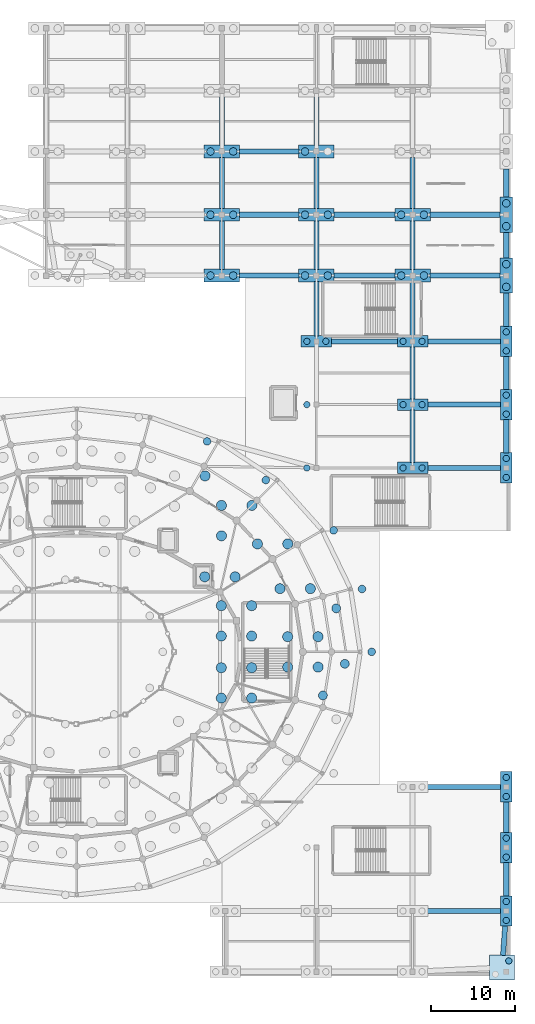
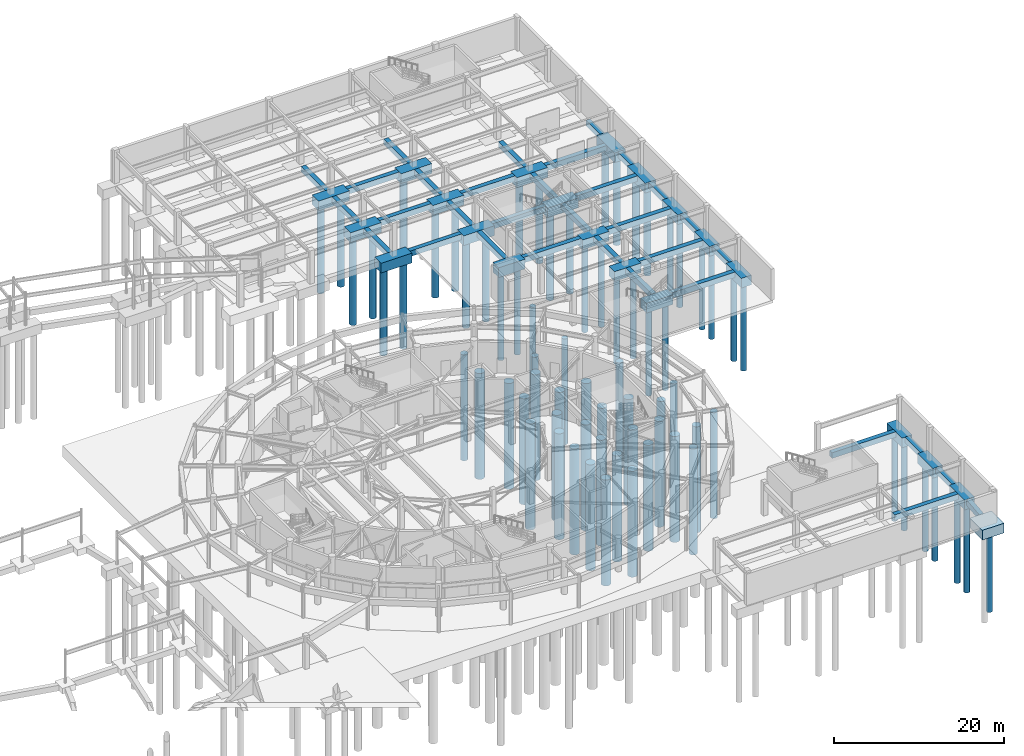
# One storey, part 7 of 68: 72 piles, 54 footings.
"""IFC4 building model written with IfcOpenShell, lengths in metres."""

from ifc_helpers import new_model, si_unit, direction, frame, origin, origin_2d, place, context, subcontext, project, spatial, rectangle, circle, extrude, material, layer, layer_set, material_profile, profile_set, type_object, element, save


model = new_model("IFC4")

# Units and contexts
model_context = context("Model", 3, precision=1e-05, world=origin(), true_north=direction((0.0, 1.0)))
body_context = subcontext(model_context, "Body", "Model", "MODEL_VIEW")
ifc_project = project(units=[si_unit("LENGTHUNIT", "METRE"), si_unit("AREAUNIT", "SQUARE_METRE"), si_unit("VOLUMEUNIT", "CUBIC_METRE"), si_unit("PLANEANGLEUNIT", "RADIAN"), si_unit("MASSUNIT", "GRAM", prefix="KILO")], contexts=[model_context])

# Site, building, storey
site_placement = place(None, origin())
site = spatial("IfcSite", under=ifc_project, at=site_placement, CompositionType="ELEMENT")
building_placement = place(site_placement, origin())
building = spatial("IfcBuilding", under=site, at=building_placement, Name="Cinderbank Siding Concert Hall", CompositionType="ELEMENT")
storey_placement = place(building_placement, frame((0.0, 0.0, -4.800048828125)))
storey = spatial("IfcBuildingStorey", under=building, at=storey_placement, Name="B1", CompositionType="ELEMENT", Elevation=-4.800048828125)

# Piles
ifc_material = material(Name="Reinforced concrete AS 3600 N40 (40 MPa)", Category="concrete")
ifc_material_profile_1 = material_profile(ifc_material, circle(Radius=0.52490234375, at=origin_2d()), Name="PILE-1050DIA", Category="LoadBearing")
ifc_profile_set_1 = profile_set([ifc_material_profile_1], Name="Reinforced concrete AS 3600 N40 (40 MPa)")
pile_type_1 = type_object("IfcPileType", Name="BP-1050 Bored Pile 1050mm", PredefinedType="BORED", material=ifc_profile_set_1)
for number, where, z_axis, x_axis, name in (
    (1, (153.77490234375, 42.5830078125, -1.5), (0.0, 0.0, -1.0), (1.0, 0.0, 0.0), "Bored Pile BP-1050 #5"),
    (2, (152.74609375, 49.156982421875, -1.5), (0.0, 0.0, -1.0), (1.0, 0.0, 0.0), "Bored Pile BP-1050 #9"),
    (3, (151.1708984375, 38.843017578125, -1.5), (0.0, 0.0, -1.0), (1.0, 0.0, 0.0), "Bored Pile BP-1050 #49"),
):
    element("IfcPile", number, at=place(storey_placement, frame(where, z_axis=z_axis, x_axis=x_axis)), inside=storey, type_object=pile_type_1, Name=name, PredefinedType="BORED", context=body_context, shape_type="SweptSolid", body=[
        extrude(circle(Radius=0.52490234375, at=origin_2d()), origin(), (0.0, 0.0, 1.0), 15.199951171875),
    ])
ifc_material_profile_2 = material_profile(ifc_material, circle(Radius=0.60009765625, at=origin_2d()), Name="PILE-1200DIA", Category="LoadBearing")
ifc_profile_set_2 = profile_set([ifc_material_profile_2], Name="Reinforced concrete AS 3600 N40 (40 MPa)")
pile_type_2 = type_object("IfcPileType", Name="BP-1200 Bored Pile 1200mm", PredefinedType="BORED", material=ifc_profile_set_2)
for number, where, z_axis, x_axis, name in (
    (4, (147.0, 42.199951171875, -1.5), (0.0, 0.0, -1.0), (1.0, 0.0, 0.0), "Bored Pile BP-1200 #1"),
    (5, (150.60009765625, 42.199951171875, -1.5), (0.0, 0.0, -1.0), (1.0, 0.0, 0.0), "Bored Pile BP-1200 #2"),
    (6, (147.0, 45.800048828125, -1.5), (0.0, 0.0, -1.0), (1.0, 0.0, 0.0), "Bored Pile BP-1200 #3"),
    (7, (150.60009765625, 45.800048828125, -1.5), (0.0, 0.0, -1.0), (1.0, 0.0, 0.0), "Bored Pile BP-1200 #4"),
    (8, (146.0869140625, 51.493896484375, -1.5), (0.0, 0.0, -1.0), (1.0, 0.0, 0.0), "Bored Pile BP-1200 #7"),
    (9, (149.68701171875, 51.493896484375, -1.5), (0.0, 0.0, -1.0), (1.0, 0.0, 0.0), "Bored Pile BP-1200 #8"),
    (10, (143.408935546875, 56.800048828125, -1.5), (0.0, 0.0, -1.0), (1.0, 0.0, 0.0), "Bored Pile BP-1200 #11"),
    (11, (147.009033203125, 56.800048828125, -1.5), (0.0, 0.0, -1.0), (1.0, 0.0, 0.0), "Bored Pile BP-1200 #12"),
    (12, (139.132080078125, 45.875, -1.5), (0.0, 0.0, -1.0), (1.0, 0.0, 0.0), "Bored Pile BP-1200 #13"),
    (13, (142.73193359375, 45.875, -1.5), (0.0, 0.0, -1.0), (1.0, 0.0, 0.0), "Bored Pile BP-1200 #14"),
    (14, (139.132080078125, 49.47509765625, -1.5), (0.0, 0.0, -1.0), (1.0, 0.0, 0.0), "Bored Pile BP-1200 #15"),
    (15, (142.73193359375, 49.47509765625, -1.5), (0.0, 0.0, -1.0), (1.0, 0.0, 0.0), "Bored Pile BP-1200 #16"),
    (16, (137.174072265625, 52.89990234375, -1.5), (0.0, 0.0, -1.0), (1.0, 0.0, 0.0), "Bored Pile BP-1200 #17"),
    (17, (140.77392578125, 52.89990234375, -1.5), (0.0, 0.0, -1.0), (1.0, 0.0, 0.0), "Bored Pile BP-1200 #18"),
    (18, (139.15087890625, 57.756103515625, -1.5), (0.0, 0.0, -1.0), (1.0, 0.0, 0.0), "Bored Pile BP-1200 #20"),
    (19, (139.15087890625, 61.35595703125, -1.5), (0.0, 0.0, -1.0), (1.0, 0.0, 0.0), "Bored Pile BP-1200 #21"),
    (20, (142.7509765625, 61.35595703125, -1.5), (0.0, 0.0, -1.0), (1.0, 0.0, 0.0), "Bored Pile BP-1200 #22"),
    (21, (137.199951171875, 64.85302734375, -1.5), (0.0, 0.0, -1.0), (1.0, 0.0, 0.0), "Bored Pile BP-1200 #26"),
    (22, (139.132080078125, 38.52490234375, -1.5), (0.0, 0.0, -1.0), (1.0, 0.0, 0.0), "Bored Pile BP-1200 #28"),
    (23, (142.73193359375, 38.52490234375, -1.5), (0.0, 0.0, -1.0), (1.0, 0.0, 0.0), "Bored Pile BP-1200 #29"),
    (24, (139.132080078125, 42.125, -1.5), (0.0, 0.0, -1.0), (1.0, 0.0, 0.0), "Bored Pile BP-1200 #30"),
    (25, (142.73193359375, 42.125, -1.5), (0.0, 0.0, -1.0), (1.0, 0.0, 0.0), "Bored Pile BP-1200 #31"),
):
    element("IfcPile", number, at=place(storey_placement, frame(where, z_axis=z_axis, x_axis=x_axis)), inside=storey, type_object=pile_type_2, Name=name, PredefinedType="BORED", context=body_context, shape_type="SweptSolid", body=[
        extrude(circle(Radius=0.60009765625, at=origin_2d()), origin(), (0.0, 0.0, 1.0), 15.199951171875),
    ])
ifc_material_profile_3 = material_profile(ifc_material, circle(Radius=0.375, at=origin_2d()), Name="PILE-750DIA", Category="LoadBearing")
ifc_profile_set_3 = profile_set([ifc_material_profile_3], Name="Reinforced concrete AS 3600 N40 (40 MPa)")
pile_type_3 = type_object("IfcPileType", Name="BP-750 Bored Pile 750mm", PredefinedType="BORED", material=ifc_profile_set_3)
for number, where, z_axis, x_axis, name in (
    (26, (149.27490234375, 65.800048828125, -1.5), (0.0, 0.0, -1.0), (1.0, 0.0, 0.0), "Bored Pile BP-750 #51"),
    (27, (149.27490234375, 73.300048828125, -1.5), (0.0, 0.0, -1.0), (1.0, 0.0, 0.0), "Bored Pile BP-750 #148"),
):
    element("IfcPile", number, at=place(storey_placement, frame(where, z_axis=z_axis, x_axis=x_axis)), inside=storey, type_object=pile_type_3, Name=name, PredefinedType="BORED", context=body_context, shape_type="SweptSolid", body=[
        extrude(circle(Radius=0.375, at=origin_2d()), origin(), (0.0, 0.0, 1.0), 15.199951171875),
    ])
for number, where, z_axis, x_axis, name in (
    (28, (173.205078125, 7.385009765625, -1.300048828125), (0.0, 0.0, -1.0), (1.0, 0.0, 0.0), "Bored Pile BP-750 #392"),
    (29, (172.89990234375, 12.175048828125, -1.300048828125), (0.0, 0.0, -1.0), (1.0, 0.0, 0.0), "Bored Pile BP-750 #393"),
    (30, (172.89990234375, 14.425048828125, -1.300048828125), (0.0, 0.0, -1.0), (1.0, 0.0, 0.0), "Bored Pile BP-750 #394"),
    (31, (172.89990234375, 19.675048828125, -1.300048828125), (0.0, 0.0, -1.0), (1.0, 0.0, 0.0), "Bored Pile BP-750 #395"),
    (32, (172.89990234375, 21.925048828125, -1.300048828125), (0.0, 0.0, -1.0), (1.0, 0.0, 0.0), "Bored Pile BP-750 #396"),
    (33, (172.89990234375, 26.875, -1.300048828125), (0.0, 0.0, -1.0), (1.0, 0.0, 0.0), "Bored Pile BP-750 #397"),
    (34, (172.89990234375, 29.125, -1.300048828125), (0.0, 0.0, -1.0), (1.0, 0.0, 0.0), "Bored Pile BP-750 #398"),
    (35, (149.27490234375, 80.800048828125, -1.300048828125), (0.0, 0.0, -1.0), (1.0, 0.0, 0.0), "Bored Pile BP-750 #417"),
    (36, (151.52490234375, 80.800048828125, -1.300048828125), (0.0, 0.0, -1.0), (1.0, 0.0, 0.0), "Bored Pile BP-750 #418"),
    (37, (160.675048828125, 65.800048828125, -1.300048828125), (0.0, 0.0, -1.0), (1.0, 0.0, 0.0), "Bored Pile BP-750 #419"),
    (38, (162.925048828125, 65.800048828125, -1.300048828125), (0.0, 0.0, -1.0), (1.0, 0.0, 0.0), "Bored Pile BP-750 #420"),
    (39, (160.675048828125, 73.300048828125, -1.300048828125), (0.0, 0.0, -1.0), (1.0, 0.0, 0.0), "Bored Pile BP-750 #421"),
    (40, (162.925048828125, 73.300048828125, -1.300048828125), (0.0, 0.0, -1.0), (1.0, 0.0, 0.0), "Bored Pile BP-750 #422"),
    (41, (160.675048828125, 80.800048828125, -1.300048828125), (0.0, 0.0, -1.0), (1.0, 0.0, 0.0), "Bored Pile BP-750 #423"),
    (42, (162.925048828125, 80.800048828125, -1.300048828125), (0.0, 0.0, -1.0), (1.0, 0.0, 0.0), "Bored Pile BP-750 #424"),
    (43, (172.89990234375, 64.675048828125, -1.300048828125), (0.0, 0.0, -1.0), (1.0, 0.0, 0.0), "Bored Pile BP-750 #425"),
    (44, (172.89990234375, 66.925048828125, -1.300048828125), (0.0, 0.0, -1.0), (1.0, 0.0, 0.0), "Bored Pile BP-750 #426"),
    (45, (172.89990234375, 72.175048828125, -1.300048828125), (0.0, 0.0, -1.0), (1.0, 0.0, 0.0), "Bored Pile BP-750 #427"),
    (46, (172.89990234375, 74.425048828125, -1.300048828125), (0.0, 0.0, -1.0), (1.0, 0.0, 0.0), "Bored Pile BP-750 #428"),
    (47, (172.89990234375, 79.675048828125, -1.300048828125), (0.0, 0.0, -1.0), (1.0, 0.0, 0.0), "Bored Pile BP-750 #429"),
    (48, (172.89990234375, 81.925048828125, -1.300048828125), (0.0, 0.0, -1.0), (1.0, 0.0, 0.0), "Bored Pile BP-750 #430"),
):
    element("IfcPile", number, at=place(storey_placement, frame(where, z_axis=z_axis, x_axis=x_axis)), inside=storey, type_object=pile_type_3, Name=name, PredefinedType="BORED", context=body_context, shape_type="SweptSolid", body=[
        extrude(circle(Radius=0.375, at=origin_2d()), origin(), (0.0, 0.0, 1.0), 12.39990234375),
    ])
ifc_material_profile_4 = material_profile(ifc_material, circle(Radius=0.449951171875, at=origin_2d()), Name="PILE-900DIA", Category="LoadBearing")
ifc_profile_set_4 = profile_set([ifc_material_profile_4], Name="Reinforced concrete AS 3600 N40 (40 MPa)")
pile_type_4 = type_object("IfcPileType", Name="BP-900 Bored Pile 900mm", PredefinedType="BORED", material=ifc_profile_set_4)
for number, where, z_axis, x_axis, name in (
    (49, (156.949951171875, 44.0, -1.5), (0.0, 0.0, -1.0), (1.0, 0.0, 0.0), "Bored Pile BP-900 #6"),
    (50, (155.804931640625, 51.4541015625, -1.5), (0.0, 0.0, -1.0), (1.0, 0.0, 0.0), "Bored Pile BP-900 #10"),
    (51, (152.448974609375, 58.39990234375, -1.5), (0.0, 0.0, -1.0), (1.0, 0.0, 0.0), "Bored Pile BP-900 #19"),
    (52, (144.408935546875, 64.364990234375, -1.5), (0.0, 0.0, -1.0), (1.0, 0.0, 0.0), "Bored Pile BP-900 #23"),
    (53, (137.449951171875, 68.94189453125, -1.5), (0.0, 0.0, -1.0), (1.0, 0.0, 0.0), "Bored Pile BP-900 #27"),
):
    element("IfcPile", number, at=place(storey_placement, frame(where, z_axis=z_axis, x_axis=x_axis)), inside=storey, type_object=pile_type_4, Name=name, PredefinedType="BORED", context=body_context, shape_type="SweptSolid", body=[
        extrude(circle(Radius=0.449951171875, at=origin_2d()), origin(), (0.0, 0.0, 1.0), 15.199951171875),
    ])
for number, where, z_axis, x_axis, name in (
    (54, (137.85009765625, 88.60009765625, -1.300048828125), (0.0, 0.0, -1.0), (1.0, 0.0, 0.0), "Bored Pile BP-900 #303"),
    (55, (140.550048828125, 88.60009765625, -1.300048828125), (0.0, 0.0, -1.0), (1.0, 0.0, 0.0), "Bored Pile BP-900 #304"),
    (56, (137.85009765625, 95.800048828125, -1.300048828125), (0.0, 0.0, -1.0), (1.0, 0.0, 0.0), "Bored Pile BP-900 #305"),
    (57, (140.550048828125, 95.800048828125, -1.300048828125), (0.0, 0.0, -1.0), (1.0, 0.0, 0.0), "Bored Pile BP-900 #306"),
    (58, (137.85009765625, 103.300048828125, -1.300048828125), (0.0, 0.0, -1.0), (1.0, 0.0, 0.0), "Bored Pile BP-900 #307"),
    (59, (140.550048828125, 103.300048828125, -1.300048828125), (0.0, 0.0, -1.0), (1.0, 0.0, 0.0), "Bored Pile BP-900 #308"),
    (60, (149.050048828125, 88.60009765625, -1.300048828125), (0.0, 0.0, -1.0), (1.0, 0.0, 0.0), "Bored Pile BP-900 #313"),
    (61, (151.75, 88.60009765625, -1.300048828125), (0.0, 0.0, -1.0), (1.0, 0.0, 0.0), "Bored Pile BP-900 #314"),
    (62, (149.050048828125, 95.800048828125, -1.300048828125), (0.0, 0.0, -1.0), (1.0, 0.0, 0.0), "Bored Pile BP-900 #315"),
    (63, (151.75, 95.800048828125, -1.300048828125), (0.0, 0.0, -1.0), (1.0, 0.0, 0.0), "Bored Pile BP-900 #316"),
    (64, (149.050048828125, 103.300048828125, -1.300048828125), (0.0, 0.0, -1.0), (1.0, 0.0, 0.0), "Bored Pile BP-900 #317"),
    (65, (160.449951171875, 88.60009765625, -1.300048828125), (0.0, 0.0, -1.0), (1.0, 0.0, 0.0), "Bored Pile BP-900 #323"),
    (66, (163.14990234375, 88.60009765625, -1.300048828125), (0.0, 0.0, -1.0), (1.0, 0.0, 0.0), "Bored Pile BP-900 #324"),
    (67, (160.449951171875, 95.800048828125, -1.300048828125), (0.0, 0.0, -1.0), (1.0, 0.0, 0.0), "Bored Pile BP-900 #325"),
    (68, (163.14990234375, 95.800048828125, -1.300048828125), (0.0, 0.0, -1.0), (1.0, 0.0, 0.0), "Bored Pile BP-900 #326"),
    (69, (172.89990234375, 87.25, -1.300048828125), (0.0, 0.0, -1.0), (1.0, 0.0, 0.0), "Bored Pile BP-900 #333"),
    (70, (172.89990234375, 89.949951171875, -1.300048828125), (0.0, 0.0, -1.0), (1.0, 0.0, 0.0), "Bored Pile BP-900 #334"),
    (71, (172.89990234375, 94.449951171875, -1.300048828125), (0.0, 0.0, -1.0), (1.0, 0.0, 0.0), "Bored Pile BP-900 #335"),
    (72, (172.89990234375, 97.14990234375, -1.300048828125), (0.0, 0.0, -1.0), (1.0, 0.0, 0.0), "Bored Pile BP-900 #336"),
):
    element("IfcPile", number, at=place(storey_placement, frame(where, z_axis=z_axis, x_axis=x_axis)), inside=storey, type_object=pile_type_4, Name=name, PredefinedType="BORED", context=body_context, shape_type="SweptSolid", body=[
        extrude(circle(Radius=0.449951171875, at=origin_2d()), origin(), (0.0, 0.0, 1.0), 12.39990234375),
    ])

# Footings
ifc_material_profile_5 = material_profile(ifc_material, rectangle(XDim=0.60009765625, YDim=0.800048828125, at=origin_2d()), Name="RC-FB-600x800", Category="LoadBearing")
ifc_profile_set_5 = profile_set([ifc_material_profile_5], Name="Reinforced concrete AS 3600 N40 (40 MPa)")
footing_type_1 = type_object("IfcFootingType", Name="FB-01 Tie Beam 600x800", PredefinedType="FOOTING_BEAM", material=ifc_profile_set_5)
footing_1_placement = place(storey_placement, frame((141.284912109375, 88.60009765625, -0.39990234375), z_axis=(1.0, 0.0, 0.0), x_axis=(0.0, 1.0, 0.0)))
element("IfcFooting", 73, at=footing_1_placement, inside=storey, type_object=footing_type_1, Name="Foundation Tie Beam #96", PredefinedType="FOOTING_BEAM", context=body_context, shape_type="SweptSolid", body=[
    extrude(rectangle(XDim=0.60009765625, YDim=0.800048828125, at=origin_2d()), origin(), (0.0, 0.0, 1.0), 7.030029296875),
])
footing_2_placement = place(storey_placement, frame((139.199951171875, 89.3349609375, -0.39990234375), z_axis=(0.0, 1.0, 0.0), x_axis=(-1.0, 0.0, 0.0)))
element("IfcFooting", 74, at=footing_2_placement, inside=storey, type_object=footing_type_1, Name="Foundation Tie Beam #97", PredefinedType="FOOTING_BEAM", context=body_context, shape_type="SweptSolid", body=[
    extrude(rectangle(XDim=0.60009765625, YDim=0.800048828125, at=origin_2d()), origin(), (0.0, 0.0, 1.0), 5.72998046875),
])
footing_3_placement = place(storey_placement, frame((141.284912109375, 95.800048828125, -0.39990234375), z_axis=(1.0, 0.0, 0.0), x_axis=(0.0, 1.0, 0.0)))
element("IfcFooting", 75, at=footing_3_placement, inside=storey, type_object=footing_type_1, Name="Foundation Tie Beam #98", PredefinedType="FOOTING_BEAM", context=body_context, shape_type="SweptSolid", body=[
    extrude(rectangle(XDim=0.60009765625, YDim=0.800048828125, at=origin_2d()), origin(), (0.0, 0.0, 1.0), 7.030029296875),
])
footing_4_placement = place(storey_placement, frame((139.199951171875, 96.534912109375, -0.39990234375), z_axis=(0.0, 1.0, 0.0), x_axis=(-1.0, 0.0, 0.0)))
element("IfcFooting", 76, at=footing_4_placement, inside=storey, type_object=footing_type_1, Name="Foundation Tie Beam #99", PredefinedType="FOOTING_BEAM", context=body_context, shape_type="SweptSolid", body=[
    extrude(rectangle(XDim=0.60009765625, YDim=0.800048828125, at=origin_2d()), origin(), (0.0, 0.0, 1.0), 6.030029296875),
])
footing_5_placement = place(storey_placement, frame((141.284912109375, 103.300048828125, -0.39990234375), z_axis=(1.0, 0.0, 0.0), x_axis=(0.0, 1.0, 0.0)))
element("IfcFooting", 77, at=footing_5_placement, inside=storey, type_object=footing_type_1, Name="Foundation Tie Beam #100", PredefinedType="FOOTING_BEAM", context=body_context, shape_type="SweptSolid", body=[
    extrude(rectangle(XDim=0.60009765625, YDim=0.800048828125, at=origin_2d()), origin(), (0.0, 0.0, 1.0), 7.030029296875),
])
footing_6_placement = place(storey_placement, frame((139.199951171875, 104.034912109375, -0.39990234375), z_axis=(0.0, 1.0, 0.0), x_axis=(-1.0, 0.0, 0.0)))
element("IfcFooting", 78, at=footing_6_placement, inside=storey, type_object=footing_type_1, Name="Foundation Tie Beam #101", PredefinedType="FOOTING_BEAM", context=body_context, shape_type="SweptSolid", body=[
    extrude(rectangle(XDim=0.60009765625, YDim=0.800048828125, at=origin_2d()), origin(), (0.0, 0.0, 1.0), 5.72998046875),
])
footing_7_placement = place(storey_placement, frame((152.485107421875, 88.60009765625, -0.39990234375), z_axis=(1.0, 0.0, 0.0), x_axis=(0.0, 1.0, 0.0)))
element("IfcFooting", 79, at=footing_7_placement, inside=storey, type_object=footing_type_1, Name="Foundation Tie Beam #105", PredefinedType="FOOTING_BEAM", context=body_context, shape_type="SweptSolid", body=[
    extrude(rectangle(XDim=0.60009765625, YDim=0.800048828125, at=origin_2d()), origin(), (0.0, 0.0, 1.0), 7.22998046875),
])
footing_8_placement = place(storey_placement, frame((150.39990234375, 89.3349609375, -0.39990234375), z_axis=(0.0, 1.0, 0.0), x_axis=(-1.0, 0.0, 0.0)))
element("IfcFooting", 80, at=footing_8_placement, inside=storey, type_object=footing_type_1, Name="Foundation Tie Beam #106", PredefinedType="FOOTING_BEAM", context=body_context, shape_type="SweptSolid", body=[
    extrude(rectangle(XDim=0.60009765625, YDim=0.800048828125, at=origin_2d()), origin(), (0.0, 0.0, 1.0), 5.72998046875),
])
footing_9_placement = place(storey_placement, frame((152.485107421875, 95.800048828125, -0.39990234375), z_axis=(1.0, 0.0, 0.0), x_axis=(0.0, 1.0, 0.0)))
element("IfcFooting", 81, at=footing_9_placement, inside=storey, type_object=footing_type_1, Name="Foundation Tie Beam #107", PredefinedType="FOOTING_BEAM", context=body_context, shape_type="SweptSolid", body=[
    extrude(rectangle(XDim=0.60009765625, YDim=0.800048828125, at=origin_2d()), origin(), (0.0, 0.0, 1.0), 7.22998046875),
])
footing_10_placement = place(storey_placement, frame((150.39990234375, 96.534912109375, -0.39990234375), z_axis=(0.0, 1.0, 0.0), x_axis=(-1.0, 0.0, 0.0)))
element("IfcFooting", 82, at=footing_10_placement, inside=storey, type_object=footing_type_1, Name="Foundation Tie Beam #108", PredefinedType="FOOTING_BEAM", context=body_context, shape_type="SweptSolid", body=[
    extrude(rectangle(XDim=0.60009765625, YDim=0.800048828125, at=origin_2d()), origin(), (0.0, 0.0, 1.0), 6.030029296875),
])
footing_11_placement = place(storey_placement, frame((150.39990234375, 104.034912109375, -0.39990234375), z_axis=(0.0, 1.0, 0.0), x_axis=(-1.0, 0.0, 0.0)))
element("IfcFooting", 83, at=footing_11_placement, inside=storey, type_object=footing_type_1, Name="Foundation Tie Beam #110", PredefinedType="FOOTING_BEAM", context=body_context, shape_type="SweptSolid", body=[
    extrude(rectangle(XDim=0.60009765625, YDim=0.800048828125, at=origin_2d()), origin(), (0.0, 0.0, 1.0), 5.72998046875),
])
footing_12_placement = place(storey_placement, frame((163.885009765625, 88.60009765625, -0.39990234375), z_axis=(1.0, 0.0, 0.0), x_axis=(0.0, 1.0, 0.0)))
element("IfcFooting", 84, at=footing_12_placement, inside=storey, type_object=footing_type_1, Name="Foundation Tie Beam #114", PredefinedType="FOOTING_BEAM", context=body_context, shape_type="SweptSolid", body=[
    extrude(rectangle(XDim=0.60009765625, YDim=0.800048828125, at=origin_2d()), origin(), (0.0, 0.0, 1.0), 8.280029296875),
])
footing_13_placement = place(storey_placement, frame((161.800048828125, 89.3349609375, -0.39990234375), z_axis=(0.0, 1.0, 0.0), x_axis=(-1.0, 0.0, 0.0)))
element("IfcFooting", 85, at=footing_13_placement, inside=storey, type_object=footing_type_1, Name="Foundation Tie Beam #115", PredefinedType="FOOTING_BEAM", context=body_context, shape_type="SweptSolid", body=[
    extrude(rectangle(XDim=0.60009765625, YDim=0.800048828125, at=origin_2d()), origin(), (0.0, 0.0, 1.0), 5.72998046875),
])
footing_14_placement = place(storey_placement, frame((163.885009765625, 95.800048828125, -0.39990234375), z_axis=(1.0, 0.0, 0.0), x_axis=(0.0, 1.0, 0.0)))
element("IfcFooting", 86, at=footing_14_placement, inside=storey, type_object=footing_type_1, Name="Foundation Tie Beam #116", PredefinedType="FOOTING_BEAM", context=body_context, shape_type="SweptSolid", body=[
    extrude(rectangle(XDim=0.60009765625, YDim=0.800048828125, at=origin_2d()), origin(), (0.0, 0.0, 1.0), 8.280029296875),
])
footing_15_placement = place(storey_placement, frame((161.800048828125, 96.534912109375, -0.39990234375), z_axis=(0.0, 1.0, 0.0), x_axis=(-1.0, 0.0, 0.0)))
element("IfcFooting", 87, at=footing_15_placement, inside=storey, type_object=footing_type_1, Name="Foundation Tie Beam #117", PredefinedType="FOOTING_BEAM", context=body_context, shape_type="SweptSolid", body=[
    extrude(rectangle(XDim=0.60009765625, YDim=0.800048828125, at=origin_2d()), origin(), (0.0, 0.0, 1.0), 6.030029296875),
])
footing_16_placement = place(storey_placement, frame((172.89990234375, 90.68505859375, -0.39990234375), z_axis=(0.0, 1.0, 0.0), x_axis=(-1.0, 0.0, 0.0)))
element("IfcFooting", 88, at=footing_16_placement, inside=storey, type_object=footing_type_1, Name="Foundation Tie Beam #123", PredefinedType="FOOTING_BEAM", context=body_context, shape_type="SweptSolid", body=[
    extrude(rectangle(XDim=0.60009765625, YDim=0.800048828125, at=origin_2d()), origin(), (0.0, 0.0, 1.0), 3.030029296875),
])
footing_17_placement = place(storey_placement, frame((172.89990234375, 97.885009765625, -0.39990234375), z_axis=(0.0, 1.0, 0.0), x_axis=(-1.0, 0.0, 0.0)))
element("IfcFooting", 89, at=footing_17_placement, inside=storey, type_object=footing_type_1, Name="Foundation Tie Beam #124", PredefinedType="FOOTING_BEAM", context=body_context, shape_type="SweptSolid", body=[
    extrude(rectangle(XDim=0.60009765625, YDim=0.800048828125, at=origin_2d()), origin(), (0.0, 0.0, 1.0), 3.330078125),
])
for number, where, z_axis, x_axis, name in (
    (90, (163.5849609375, 13.300048828125, -0.39990234375), (1.0, 0.0, 0.0), (0.0, 1.0, 0.0), "Foundation Tie Beam #160"),
    (91, (163.5849609375, 28.0, -0.39990234375), (1.0, 0.0, 0.0), (0.0, 1.0, 0.0), "Foundation Tie Beam #162"),
):
    element("IfcFooting", number, at=place(storey_placement, frame(where, z_axis=z_axis, x_axis=x_axis)), inside=storey, type_object=footing_type_1, Name=name, PredefinedType="FOOTING_BEAM", context=body_context, shape_type="SweptSolid", body=[
        extrude(rectangle(XDim=0.60009765625, YDim=0.800048828125, at=origin_2d()), origin(), (0.0, 0.0, 1.0), 8.655029296875),
    ])
footing_18_placement = place(storey_placement, frame((172.516357421875, 8.044921875, -0.39990234375), z_axis=(0.072767945413, 0.997348898892, 0.0), x_axis=(-0.997348898892, 0.072767945413, 0.0)))
element("IfcFooting", 92, at=footing_18_placement, inside=storey, type_object=footing_type_1, Name="Foundation Tie Beam #163", PredefinedType="FOOTING_BEAM", context=body_context, shape_type="SweptSolid", body=[
    extrude(rectangle(XDim=0.60009765625, YDim=0.800048828125, at=origin_2d()), origin(), (0.0, 0.0, 1.0), 3.479248046875),
])
footing_19_placement = place(storey_placement, frame((172.89990234375, 15.0849609375, -0.39990234375), z_axis=(0.0, 1.0, 0.0), x_axis=(-1.0, 0.0, 0.0)))
element("IfcFooting", 93, at=footing_19_placement, inside=storey, type_object=footing_type_1, Name="Foundation Tie Beam #164", PredefinedType="FOOTING_BEAM", context=body_context, shape_type="SweptSolid", body=[
    extrude(rectangle(XDim=0.60009765625, YDim=0.800048828125, at=origin_2d()), origin(), (0.0, 0.0, 1.0), 3.929931640625),
])
footing_20_placement = place(storey_placement, frame((172.89990234375, 22.5849609375, -0.39990234375), z_axis=(0.0, 1.0, 0.0), x_axis=(-1.0, 0.0, 0.0)))
element("IfcFooting", 94, at=footing_20_placement, inside=storey, type_object=footing_type_1, Name="Foundation Tie Beam #165", PredefinedType="FOOTING_BEAM", context=body_context, shape_type="SweptSolid", body=[
    extrude(rectangle(XDim=0.60009765625, YDim=0.800048828125, at=origin_2d()), origin(), (0.0, 0.0, 1.0), 3.630126953125),
])
footing_21_placement = place(storey_placement, frame((152.18505859375, 80.800048828125, -0.39990234375), z_axis=(1.0, 0.0, 0.0), x_axis=(0.0, 1.0, 0.0)))
element("IfcFooting", 95, at=footing_21_placement, inside=storey, type_object=footing_type_1, Name="Foundation Tie Beam #179", PredefinedType="FOOTING_BEAM", context=body_context, shape_type="SweptSolid", body=[
    extrude(rectangle(XDim=0.60009765625, YDim=0.800048828125, at=origin_2d()), origin(), (0.0, 0.0, 1.0), 7.829833984375),
])
footing_22_placement = place(storey_placement, frame((150.39990234375, 81.4599609375, -0.39990234375), z_axis=(0.0, 1.0, 0.0), x_axis=(-1.0, 0.0, 0.0)))
element("IfcFooting", 96, at=footing_22_placement, inside=storey, type_object=footing_type_1, Name="Foundation Tie Beam #180", PredefinedType="FOOTING_BEAM", context=body_context, shape_type="SweptSolid", body=[
    extrude(rectangle(XDim=0.60009765625, YDim=0.800048828125, at=origin_2d()), origin(), (0.0, 0.0, 1.0), 6.405029296875),
])
footing_23_placement = place(storey_placement, frame((163.5849609375, 65.800048828125, -0.39990234375), z_axis=(1.0, 0.0, 0.0), x_axis=(0.0, 1.0, 0.0)))
element("IfcFooting", 97, at=footing_23_placement, inside=storey, type_object=footing_type_1, Name="Foundation Tie Beam #181", PredefinedType="FOOTING_BEAM", context=body_context, shape_type="SweptSolid", body=[
    extrude(rectangle(XDim=0.60009765625, YDim=0.800048828125, at=origin_2d()), origin(), (0.0, 0.0, 1.0), 8.655029296875),
])
footing_24_placement = place(storey_placement, frame((161.800048828125, 66.4599609375, -0.39990234375), z_axis=(0.0, 1.0, 0.0), x_axis=(-1.0, 0.0, 0.0)))
element("IfcFooting", 98, at=footing_24_placement, inside=storey, type_object=footing_type_1, Name="Foundation Tie Beam #182", PredefinedType="FOOTING_BEAM", context=body_context, shape_type="SweptSolid", body=[
    extrude(rectangle(XDim=0.60009765625, YDim=0.800048828125, at=origin_2d()), origin(), (0.0, 0.0, 1.0), 6.179931640625),
])
footing_25_placement = place(storey_placement, frame((163.5849609375, 73.300048828125, -0.39990234375), z_axis=(1.0, 0.0, 0.0), x_axis=(0.0, 1.0, 0.0)))
element("IfcFooting", 99, at=footing_25_placement, inside=storey, type_object=footing_type_1, Name="Foundation Tie Beam #183", PredefinedType="FOOTING_BEAM", context=body_context, shape_type="SweptSolid", body=[
    extrude(rectangle(XDim=0.60009765625, YDim=0.800048828125, at=origin_2d()), origin(), (0.0, 0.0, 1.0), 8.655029296875),
])
footing_26_placement = place(storey_placement, frame((161.800048828125, 73.9599609375, -0.39990234375), z_axis=(0.0, 1.0, 0.0), x_axis=(-1.0, 0.0, 0.0)))
element("IfcFooting", 100, at=footing_26_placement, inside=storey, type_object=footing_type_1, Name="Foundation Tie Beam #184", PredefinedType="FOOTING_BEAM", context=body_context, shape_type="SweptSolid", body=[
    extrude(rectangle(XDim=0.60009765625, YDim=0.800048828125, at=origin_2d()), origin(), (0.0, 0.0, 1.0), 6.179931640625),
])
footing_27_placement = place(storey_placement, frame((163.5849609375, 80.800048828125, -0.39990234375), z_axis=(1.0, 0.0, 0.0), x_axis=(0.0, 1.0, 0.0)))
element("IfcFooting", 101, at=footing_27_placement, inside=storey, type_object=footing_type_1, Name="Foundation Tie Beam #185", PredefinedType="FOOTING_BEAM", context=body_context, shape_type="SweptSolid", body=[
    extrude(rectangle(XDim=0.60009765625, YDim=0.800048828125, at=origin_2d()), origin(), (0.0, 0.0, 1.0), 8.655029296875),
])
footing_28_placement = place(storey_placement, frame((161.800048828125, 81.4599609375, -0.39990234375), z_axis=(0.0, 1.0, 0.0), x_axis=(-1.0, 0.0, 0.0)))
element("IfcFooting", 102, at=footing_28_placement, inside=storey, type_object=footing_type_1, Name="Foundation Tie Beam #186", PredefinedType="FOOTING_BEAM", context=body_context, shape_type="SweptSolid", body=[
    extrude(rectangle(XDim=0.60009765625, YDim=0.800048828125, at=origin_2d()), origin(), (0.0, 0.0, 1.0), 6.405029296875),
])
for number, where, z_axis, x_axis, name in (
    (103, (172.89990234375, 67.5849609375, -0.39990234375), (0.0, 1.0, 0.0), (-1.0, 0.0, 0.0), "Foundation Tie Beam #187"),
    (104, (172.89990234375, 75.0849609375, -0.39990234375), (0.0, 1.0, 0.0), (-1.0, 0.0, 0.0), "Foundation Tie Beam #188"),
    (105, (172.89990234375, 82.5849609375, -0.39990234375), (0.0, 1.0, 0.0), (-1.0, 0.0, 0.0), "Foundation Tie Beam #189"),
):
    element("IfcFooting", number, at=place(storey_placement, frame(where, z_axis=z_axis, x_axis=x_axis)), inside=storey, type_object=footing_type_1, Name=name, PredefinedType="FOOTING_BEAM", context=body_context, shape_type="SweptSolid", body=[
        extrude(rectangle(XDim=0.60009765625, YDim=0.800048828125, at=origin_2d()), origin(), (0.0, 0.0, 1.0), 3.929931640625),
    ])
ifc_layer_1 = layer(ifc_material, 1.39990234375)
ifc_layer_set_1 = layer_set([ifc_layer_1], Name="Reinforced concrete AS 3600 N40 (40 MPa)")
footing_type_2 = type_object("IfcFootingType", Name="PC-05 Pile Cap 4200x1500x1400", PredefinedType="PILE_CAP", material=ifc_layer_set_1)
for number, where, z_axis, x_axis, name in (
    (106, (139.199951171875, 88.60009765625, -1.39990234375), (0.0, 0.0, 1.0), (1.0, 0.0, 0.0), "Pile Cap PC-05 #57"),
    (107, (139.199951171875, 95.800048828125, -1.39990234375), (0.0, 0.0, 1.0), (1.0, 0.0, 0.0), "Pile Cap PC-05 #58"),
    (108, (139.199951171875, 103.300048828125, -1.39990234375), (0.0, 0.0, 1.0), (1.0, 0.0, 0.0), "Pile Cap PC-05 #59"),
    (109, (150.39990234375, 88.60009765625, -1.39990234375), (0.0, 0.0, 1.0), (1.0, 0.0, 0.0), "Pile Cap PC-05 #62"),
    (110, (150.39990234375, 95.800048828125, -1.39990234375), (0.0, 0.0, 1.0), (1.0, 0.0, 0.0), "Pile Cap PC-05 #63"),
    (111, (150.39990234375, 103.300048828125, -1.39990234375), (0.0, 0.0, 1.0), (1.0, 0.0, 0.0), "Pile Cap PC-05 #64"),
    (112, (161.800048828125, 88.60009765625, -1.39990234375), (0.0, 0.0, 1.0), (1.0, 0.0, 0.0), "Pile Cap PC-05 #67"),
    (113, (161.800048828125, 95.800048828125, -1.39990234375), (0.0, 0.0, 1.0), (1.0, 0.0, 0.0), "Pile Cap PC-05 #68"),
):
    element("IfcFooting", number, at=place(storey_placement, frame(where, z_axis=z_axis, x_axis=x_axis)), inside=storey, type_object=footing_type_2, Name=name, PredefinedType="PILE_CAP", context=body_context, shape_type="SweptSolid", body=[
        extrude(rectangle(XDim=4.199951171875, YDim=1.5, at=origin_2d()), origin(), (0.0, 0.0, 1.0), 1.39990234375),
    ])
ifc_layer_2 = layer(ifc_material, 1.39990234375)
ifc_layer_set_2 = layer_set([ifc_layer_2], Name="Reinforced concrete AS 3600 N40 (40 MPa)")
footing_type_3 = type_object("IfcFootingType", Name="PC-11 Pile Cap 1500x4200x1400", PredefinedType="PILE_CAP", material=ifc_layer_set_2)
for number, where, z_axis, x_axis, name in (
    (114, (172.89990234375, 88.60009765625, -1.39990234375), (0.0, 0.0, 1.0), (1.0, 0.0, 0.0), "Pile Cap PC-11 #72"),
    (115, (172.89990234375, 95.800048828125, -1.39990234375), (0.0, 0.0, 1.0), (1.0, 0.0, 0.0), "Pile Cap PC-11 #73"),
):
    element("IfcFooting", number, at=place(storey_placement, frame(where, z_axis=z_axis, x_axis=x_axis)), inside=storey, type_object=footing_type_3, Name=name, PredefinedType="PILE_CAP", context=body_context, shape_type="SweptSolid", body=[
        extrude(rectangle(XDim=1.5, YDim=4.199951171875, at=origin_2d()), origin(), (0.0, 0.0, 1.0), 1.39990234375),
    ])
ifc_layer_3 = layer(ifc_material, 1.39990234375)
ifc_layer_set_3 = layer_set([ifc_layer_3], Name="Reinforced concrete AS 3600 N40 (40 MPa)")
footing_type_4 = type_object("IfcFootingType", Name="PC-13 Pile Cap 3600x1350x1400", PredefinedType="PILE_CAP", material=ifc_layer_set_3)
for number, where, z_axis, x_axis, name in (
    (116, (150.39990234375, 80.800048828125, -1.39990234375), (0.0, 0.0, 1.0), (1.0, 0.0, 0.0), "Pile Cap PC-13 #114"),
    (117, (161.800048828125, 65.800048828125, -1.39990234375), (0.0, 0.0, 1.0), (1.0, 0.0, 0.0), "Pile Cap PC-13 #115"),
    (118, (161.800048828125, 73.300048828125, -1.39990234375), (0.0, 0.0, 1.0), (1.0, 0.0, 0.0), "Pile Cap PC-13 #116"),
    (119, (161.800048828125, 80.800048828125, -1.39990234375), (0.0, 0.0, 1.0), (1.0, 0.0, 0.0), "Pile Cap PC-13 #117"),
):
    element("IfcFooting", number, at=place(storey_placement, frame(where, z_axis=z_axis, x_axis=x_axis)), inside=storey, type_object=footing_type_4, Name=name, PredefinedType="PILE_CAP", context=body_context, shape_type="SweptSolid", body=[
        extrude(rectangle(XDim=3.60009765625, YDim=1.35009765625, at=origin_2d()), origin(), (0.0, 0.0, 1.0), 1.39990234375),
    ])
ifc_layer_4 = layer(ifc_material, 1.39990234375)
ifc_layer_set_4 = layer_set([ifc_layer_4], Name="Reinforced concrete AS 3600 N40 (40 MPa)")
footing_type_5 = type_object("IfcFootingType", Name="PC-14 Pile Cap 2940x2940x1400", PredefinedType="PILE_CAP", material=ifc_layer_set_4)
footing_29_placement = place(storey_placement, frame((172.409912109375, 6.590087890625, -1.39990234375), z_axis=(0.0, 0.0, 1.0), x_axis=(1.0, 0.0, 0.0)))
element("IfcFooting", 120, at=footing_29_placement, inside=storey, type_object=footing_type_5, Name="Pile Cap PC-14 #101", PredefinedType="PILE_CAP", context=body_context, shape_type="SweptSolid", body=[
    extrude(rectangle(XDim=2.93994140625, YDim=2.93994140625, at=origin_2d()), origin(), (0.0, 0.0, 1.0), 1.39990234375),
])
ifc_layer_5 = layer(ifc_material, 1.39990234375)
ifc_layer_set_5 = layer_set([ifc_layer_5], Name="Reinforced concrete AS 3600 N40 (40 MPa)")
footing_type_6 = type_object("IfcFootingType", Name="PC-15 Pile Cap 1350x3600x1400", PredefinedType="PILE_CAP", material=ifc_layer_set_5)
for number, where, z_axis, x_axis, name in (
    (121, (172.89990234375, 13.300048828125, -1.39990234375), (0.0, 0.0, 1.0), (1.0, 0.0, 0.0), "Pile Cap PC-15 #102"),
    (122, (172.89990234375, 20.800048828125, -1.39990234375), (0.0, 0.0, 1.0), (1.0, 0.0, 0.0), "Pile Cap PC-15 #103"),
    (123, (172.89990234375, 28.0, -1.39990234375), (0.0, 0.0, 1.0), (1.0, 0.0, 0.0), "Pile Cap PC-15 #104"),
    (124, (172.89990234375, 65.800048828125, -1.39990234375), (0.0, 0.0, 1.0), (1.0, 0.0, 0.0), "Pile Cap PC-15 #118"),
    (125, (172.89990234375, 73.300048828125, -1.39990234375), (0.0, 0.0, 1.0), (1.0, 0.0, 0.0), "Pile Cap PC-15 #119"),
    (126, (172.89990234375, 80.800048828125, -1.39990234375), (0.0, 0.0, 1.0), (1.0, 0.0, 0.0), "Pile Cap PC-15 #120"),
):
    element("IfcFooting", number, at=place(storey_placement, frame(where, z_axis=z_axis, x_axis=x_axis)), inside=storey, type_object=footing_type_6, Name=name, PredefinedType="PILE_CAP", context=body_context, shape_type="SweptSolid", body=[
        extrude(rectangle(XDim=1.35009765625, YDim=3.60009765625, at=origin_2d()), origin(), (0.0, 0.0, 1.0), 1.39990234375),
    ])

save(model, "model.ifc")
